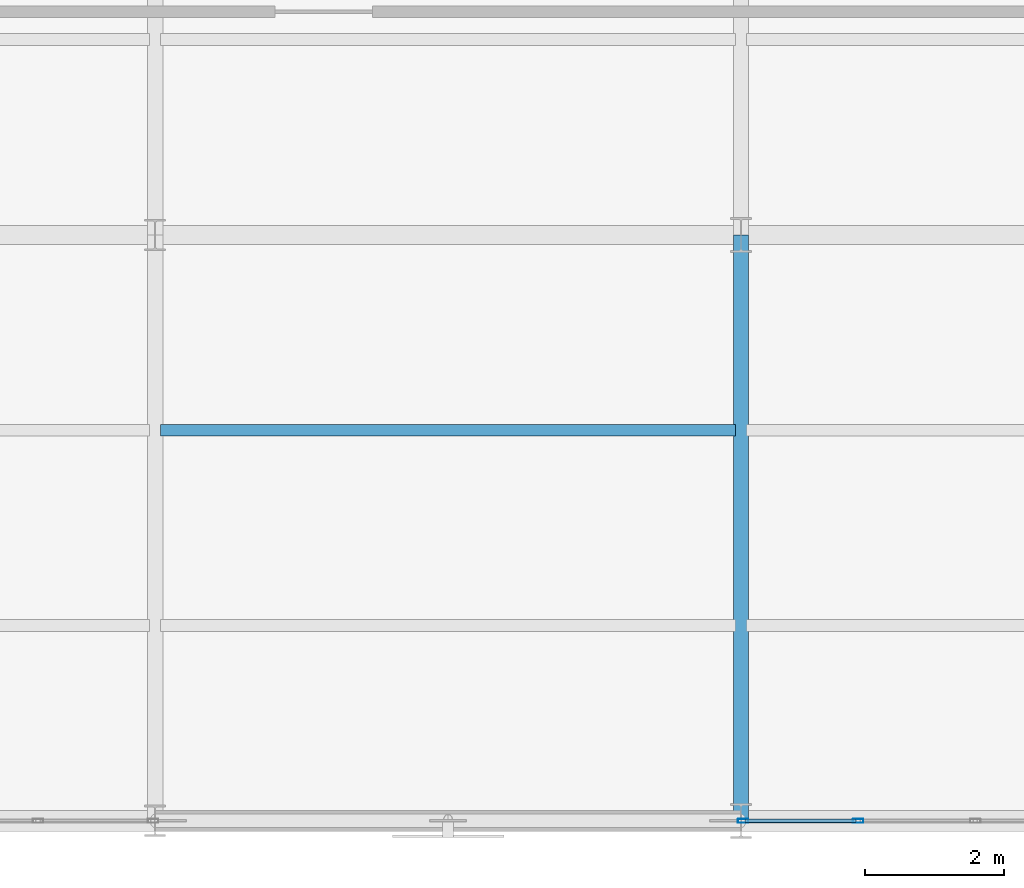
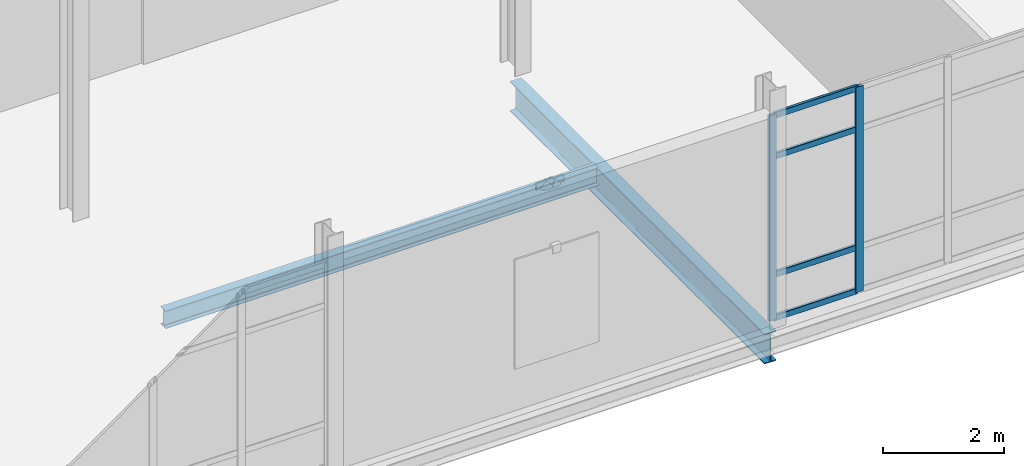
# One storey, part 96 of 145: 6 members, 2 beams, 1 element without a shape of its own.
"""IFC4 building model written with IfcOpenShell, lengths in metres."""

from ifc_helpers import new_model, si_unit, direction, frame, origin, origin_2d, place, context, subcontext, project, spatial, hollow_rectangle, i_section, extrude, material, layer, layer_set, material_profile, profile_set, type_object, element, aggregate, save


model = new_model("IFC4")

# Units and contexts
model_context = context("Model", 3, precision=1e-05, world=origin(), true_north=direction((0.0, 1.0)))
body_context = subcontext(model_context, "Body", "Model", "MODEL_VIEW")
ifc_project = project(units=[si_unit("LENGTHUNIT", "METRE"), si_unit("AREAUNIT", "SQUARE_METRE"), si_unit("VOLUMEUNIT", "CUBIC_METRE"), si_unit("PLANEANGLEUNIT", "RADIAN"), si_unit("MASSUNIT", "GRAM", prefix="KILO")], contexts=[model_context])

# Site, building, storey
site_placement = place(None, origin())
site = spatial("IfcSite", under=ifc_project, at=site_placement, CompositionType="ELEMENT")
building_placement = place(site_placement, origin())
building = spatial("IfcBuilding", under=site, at=building_placement, Name="Qalvenar Corner Mobility Hub", CompositionType="ELEMENT")
storey_placement = place(building_placement, origin())
storey = spatial("IfcBuildingStorey", under=building, at=storey_placement, Name="L00", CompositionType="ELEMENT", Elevation=0.0)

# Beams
ifc_material_1 = material(Name="Steel S355", Category="steel")
ifc_material_profile_1 = material_profile(ifc_material_1, i_section(OverallWidth=0.219970703125, OverallDepth=0.60009765625, WebThickness=0.011962890625, FlangeThickness=0.01904296875, FilletRadius=0.02392578125, at=origin_2d()), Name="IPE600")
ifc_profile_set_1 = profile_set([ifc_material_profile_1], Name="Steel S355")
beam_type_1 = type_object("IfcBeamType", Name="BM-IPE600", PredefinedType="BEAM", material=ifc_profile_set_1)
beam_1_placement = place(storey_placement, frame((151.199951171875, 0.0, -0.550048828125), z_axis=(0.0, 1.0, 0.0), x_axis=(-1.0, 0.0, 0.0)))
element("IfcBeam", 1, at=beam_1_placement, inside=storey, type_object=beam_type_1, Name="Primary Steel Girder GY-0323", PredefinedType="BEAM", context=body_context, shape_type="SweptSolid", body=[
    extrude(i_section(OverallWidth=0.219970703125, OverallDepth=0.60009765625, WebThickness=0.011962890625, FlangeThickness=0.01904296875, FilletRadius=0.02392578125, at=origin_2d()), origin(), (0.0, 0.0, 1.0), 8.39990234375),
])
ifc_material_profile_2 = material_profile(ifc_material_1, i_section(OverallWidth=0.169921875, OverallDepth=0.360107421875, WebThickness=0.008056640625, FlangeThickness=0.0126953125, FilletRadius=0.01806640625, at=origin_2d()), Name="IPE360")
ifc_profile_set_2 = profile_set([ifc_material_profile_2], Name="Steel S355")
beam_type_2 = type_object("IfcBeamType", Name="BM-JST360", PredefinedType="JOIST", material=ifc_profile_set_2)
beam_2_placement = place(storey_placement, frame((142.8779296875, 5.60009765625, -0.429931640625), z_axis=(1.0, 0.0, 0.0), x_axis=(0.0, 1.0, 0.0)))
element("IfcBeam", 2, at=beam_2_placement, inside=storey, type_object=beam_type_2, Name="Composite Floor Joist J-0388", PredefinedType="JOIST", context=body_context, shape_type="SweptSolid", body=[
    extrude(i_section(OverallWidth=0.169921875, OverallDepth=0.360107421875, WebThickness=0.008056640625, FlangeThickness=0.0126953125, FilletRadius=0.01806640625, at=origin_2d()), origin(), (0.0, 0.0, 1.0), 8.244140625),
])

# Curtain wall, members
ifc_material_2 = material(Name="Anodised Aluminium and Low-E Glazing", Category="aluminium")
ifc_layer = layer(ifc_material_2, 0.14990234375)
ifc_layer_set = layer_set([ifc_layer], Name="Anodised Aluminium and Low-E Glazing")
curtain_wall_type = type_object("IfcCurtainWallType", Name="CW-WKS-84X44", PredefinedType="NOTDEFINED", material=ifc_layer_set)
curtain_wall_placement = place(storey_placement, origin())
curtain_wall = element("IfcCurtainWall", 3, at=curtain_wall_placement, inside=storey, type_object=curtain_wall_type, Name="Glazed Curtain Wall CW-V6-L00-S5", PredefinedType="NOTDEFINED")
ifc_material_3 = material(Name="Anodised Aluminium 6063-T6", Category="aluminium")
ifc_material_profile_3 = material_profile(ifc_material_3, hollow_rectangle(XDim=0.06005859375, YDim=0.14990234375, WallThickness=0.00390625, InnerFilletRadius=0.00390625, OuterFilletRadius=0.008056640625, at=origin_2d()), Name="RHS150x60x4")
ifc_profile_set_3 = profile_set([ifc_material_profile_3], Name="Anodised Aluminium 6063-T6")
member_type_1 = type_object("IfcMemberType", Name="CW-MUL150", PredefinedType="MULLION", material=ifc_profile_set_3)
member_1_placement = place(storey_placement, frame((151.22998046875, 0.0, 0.0), z_axis=(0.0, 0.0, 1.0), x_axis=(0.0, 1.0, 0.0)))
member_1 = element("IfcMember", 4, at=member_1_placement, type_object=member_type_1, Name="CW-09 mullion 1", PredefinedType="MULLION", context=body_context, shape_type="SweptSolid", body=[
    extrude(hollow_rectangle(XDim=0.06005859375, YDim=0.14990234375, WallThickness=0.00390625, InnerFilletRadius=0.00390625, OuterFilletRadius=0.008056640625, at=origin_2d()), origin(), (0.0, 0.0, 1.0), 4.1298828125),
])
member_2_placement = place(storey_placement, frame((152.8798828125, 0.0, 0.0), z_axis=(0.0, 0.0, 1.0), x_axis=(0.0, 1.0, 0.0)))
member_2 = element("IfcMember", 5, at=member_2_placement, type_object=member_type_1, Name="CW-09 mullion 2", PredefinedType="MULLION", context=body_context, shape_type="SweptSolid", body=[
    extrude(hollow_rectangle(XDim=0.06005859375, YDim=0.14990234375, WallThickness=0.00390625, InnerFilletRadius=0.00390625, OuterFilletRadius=0.008056640625, at=origin_2d()), origin(), (0.0, 0.0, 1.0), 4.1298828125),
])
ifc_material_profile_4 = material_profile(ifc_material_3, hollow_rectangle(XDim=0.054931640625, YDim=0.1201171875, WallThickness=0.00341796875, InnerFilletRadius=0.00341796875, OuterFilletRadius=0.007080078125, at=origin_2d()), Name="RHS120x55x3.5")
ifc_profile_set_4 = profile_set([ifc_material_profile_4], Name="Anodised Aluminium 6063-T6")
member_type_2 = type_object("IfcMemberType", Name="CW-TRN120", PredefinedType="USERDEFINED", material=ifc_profile_set_4)
member_3_placement = place(storey_placement, frame((151.260009765625, 0.0, 0.027587890625), z_axis=(1.0, 0.0, 0.0), x_axis=(0.0, 1.0, 0.0)))
member_3 = element("IfcMember", 6, at=member_3_placement, type_object=member_type_2, Name="CW-09 transom 1.1", ObjectType="TRANSOM", PredefinedType="USERDEFINED", context=body_context, shape_type="SweptSolid", body=[
    extrude(hollow_rectangle(XDim=0.054931640625, YDim=0.1201171875, WallThickness=0.00341796875, InnerFilletRadius=0.00341796875, OuterFilletRadius=0.007080078125, at=origin_2d()), origin(), (0.0, 0.0, 1.0), 1.590087890625),
])
member_4_placement = place(storey_placement, frame((151.260009765625, 0.0, 0.89990234375), z_axis=(1.0, 0.0, 0.0), x_axis=(0.0, 1.0, 0.0)))
member_4 = element("IfcMember", 7, at=member_4_placement, type_object=member_type_2, Name="CW-09 transom 1.2", ObjectType="TRANSOM", PredefinedType="USERDEFINED", context=body_context, shape_type="SweptSolid", body=[
    extrude(hollow_rectangle(XDim=0.054931640625, YDim=0.1201171875, WallThickness=0.00341796875, InnerFilletRadius=0.00341796875, OuterFilletRadius=0.007080078125, at=origin_2d()), origin(), (0.0, 0.0, 1.0), 1.590087890625),
])
member_5_placement = place(storey_placement, frame((151.260009765625, 0.0, 3.280029296875), z_axis=(1.0, 0.0, 0.0), x_axis=(0.0, 1.0, 0.0)))
member_5 = element("IfcMember", 8, at=member_5_placement, type_object=member_type_2, Name="CW-09 transom 1.3", ObjectType="TRANSOM", PredefinedType="USERDEFINED", context=body_context, shape_type="SweptSolid", body=[
    extrude(hollow_rectangle(XDim=0.054931640625, YDim=0.1201171875, WallThickness=0.00341796875, InnerFilletRadius=0.00341796875, OuterFilletRadius=0.007080078125, at=origin_2d()), origin(), (0.0, 0.0, 1.0), 1.590087890625),
])
member_6_placement = place(storey_placement, frame((151.260009765625, 0.0, 4.1025390625), z_axis=(1.0, 0.0, 0.0), x_axis=(0.0, 1.0, 0.0)))
member_6 = element("IfcMember", 9, at=member_6_placement, type_object=member_type_2, Name="CW-09 transom 1.4", ObjectType="TRANSOM", PredefinedType="USERDEFINED", context=body_context, shape_type="SweptSolid", body=[
    extrude(hollow_rectangle(XDim=0.054931640625, YDim=0.1201171875, WallThickness=0.00341796875, InnerFilletRadius=0.00341796875, OuterFilletRadius=0.007080078125, at=origin_2d()), origin(), (0.0, 0.0, 1.0), 1.590087890625),
])
aggregate(curtain_wall, [member_1, member_2, member_3, member_4, member_5, member_6])

save(model, "model.ifc")
